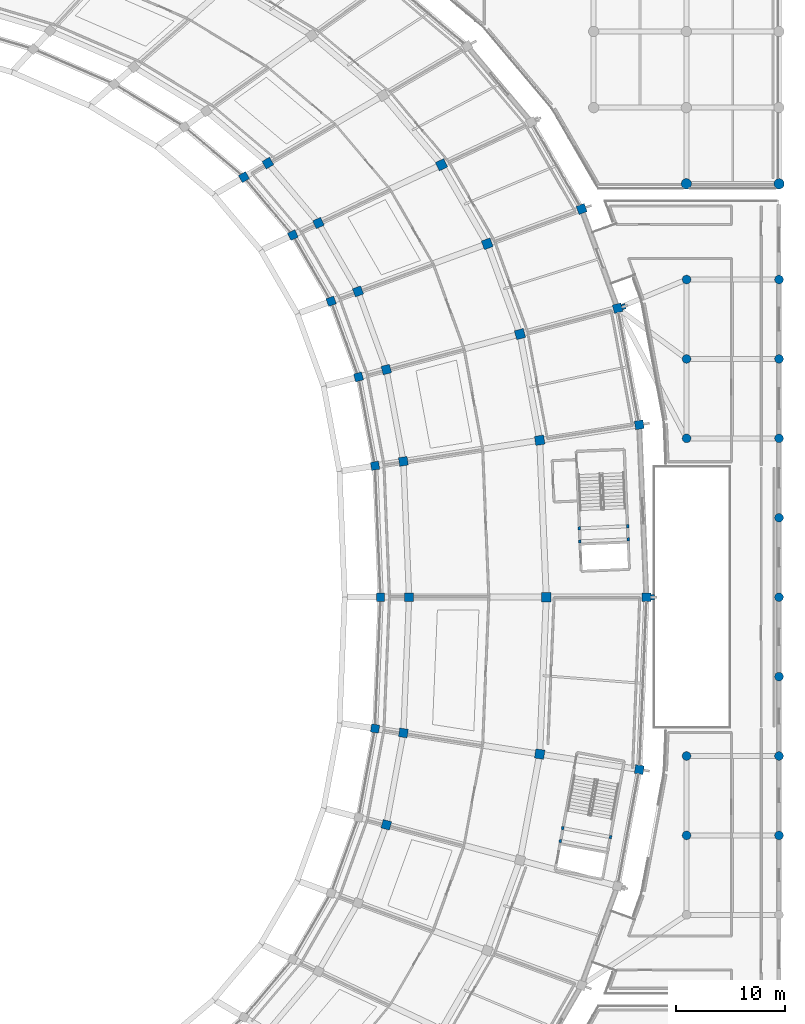
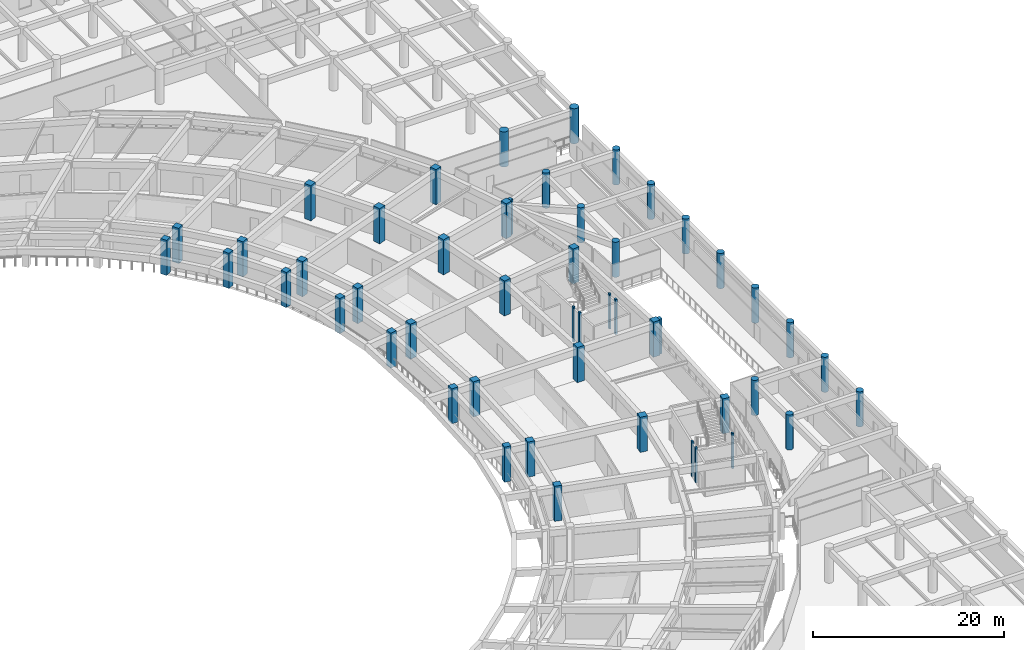
# One storey, part 6 of 145: 50 columns.
"""IFC4 building model written with IfcOpenShell, lengths in metres."""

from ifc_helpers import new_model, si_unit, direction, frame, origin, origin_2d, place, context, subcontext, project, spatial, rectangle, circle, extrude, material, material_profile, profile_set, type_object, element, save


model = new_model("IFC4")

# Units and contexts
model_context = context("Model", 3, precision=1e-05, world=origin(), true_north=direction((0.0, 1.0)))
body_context = subcontext(model_context, "Body", "Model", "MODEL_VIEW")
ifc_project = project(units=[si_unit("LENGTHUNIT", "METRE"), si_unit("AREAUNIT", "SQUARE_METRE"), si_unit("VOLUMEUNIT", "CUBIC_METRE"), si_unit("PLANEANGLEUNIT", "RADIAN"), si_unit("MASSUNIT", "GRAM", prefix="KILO")], contexts=[model_context])

# Site, building, storey
site_placement = place(None, origin())
site = spatial("IfcSite", under=ifc_project, at=site_placement, CompositionType="ELEMENT")
building_placement = place(site_placement, origin())
building = spatial("IfcBuilding", under=site, at=building_placement, Name="Mphavela Belvedere Stadium", CompositionType="ELEMENT")
storey_placement = place(building_placement, frame((0.0, 0.0, 10.199951171875)))
storey = spatial("IfcBuildingStorey", under=building, at=storey_placement, Name="L02", CompositionType="ELEMENT", Elevation=10.199951171875)

# Columns
ifc_material_1 = material(Name="Concrete C40/50", Category="concrete")
ifc_material_profile_1 = material_profile(ifc_material_1, rectangle(XDim=0.300048828125, YDim=0.219970703125, at=origin_2d()), Name="RC 300x220")
ifc_profile_set_1 = profile_set([ifc_material_profile_1], Name="Concrete C40/50")
column_type_1 = type_object("IfcColumnType", Name="COL-CORE-POST-300", PredefinedType="COLUMN", material=ifc_profile_set_1)
for number, where, z_axis, x_axis, name in (
    (1, (211.632080078125, 93.325439453125, 0.0), (0.0, 0.0, 1.0), (0.041875653729, -0.999122830099, 0.0), "Core C01 stair frame column L02-1"),
    (2, (211.682373046875, 92.12646484375, 0.0), (0.0, 0.0, 1.0), (0.041875653729, -0.999122830099, 0.0), "Core C01 stair frame column L02-2"),
    (3, (216.1484375, 92.313720703125, 0.0), (0.0, 0.0, 1.0), (0.041875653729, -0.999122830099, 0.0), "Core C01 stair frame column L02-3"),
    (4, (216.09814453125, 93.5126953125, 0.0), (0.0, 0.0, 1.0), (0.041875653729, -0.999122830099, 0.0), "Core C01 stair frame column L02-4"),
    (5, (210.11376953125, 65.7646484375, 0.0), (0.0, 0.0, 1.0), (-0.182578735093, -0.983191235463, 0.0), "Core C12 stair frame column L02-1"),
    (6, (209.894775390625, 64.584716796875, 0.0), (0.0, 0.0, 1.0), (-0.182578735093, -0.983191235463, 0.0), "Core C12 stair frame column L02-2"),
    (7, (214.508544921875, 64.948486328125, 0.0), (0.0, 0.0, 1.0), (-0.182578735093, -0.983191235463, 0.0), "Core C12 stair frame column L02-4"),
):
    element("IfcColumn", number, at=place(storey_placement, frame(where, z_axis=z_axis, x_axis=x_axis)), inside=storey, type_object=column_type_1, Name=name, PredefinedType="COLUMN", context=body_context, shape_type="SweptSolid", body=[
        extrude(rectangle(XDim=0.300048828125, YDim=0.219970703125, at=origin_2d()), origin(), (0.0, 0.0, 1.0), 4.5),
    ])
ifc_material_2 = material(Name="Concrete C40/50", Category="concrete")
ifc_material_profile_2 = material_profile(ifc_material_2, circle(Radius=0.47509765625, at=origin_2d()), Name="COL D950")
ifc_profile_set_2 = profile_set([ifc_material_profile_2], Name="Concrete C40/50")
column_type_2 = type_object("IfcColumnType", Name="COL-DORIC-950", PredefinedType="COLUMN", material=ifc_profile_set_2)
for number, where, z_axis, x_axis, name in (
    (8, (221.48095703125, 125.0, 0.0), (0.0, 0.0, 1.0), (1.0, 0.0, 0.0), "North Mast and Ceremonial End Forecourt classical column L02 27-1"),
    (9, (230.0, 125.0, 0.0), (0.0, 0.0, 1.0), (1.0, 0.0, 0.0), "North Mast and Ceremonial End Forecourt classical column L02 28-1"),
):
    element("IfcColumn", number, at=place(storey_placement, frame(where, z_axis=z_axis, x_axis=x_axis)), inside=storey, type_object=column_type_2, Name=name, PredefinedType="COLUMN", context=body_context, shape_type="SweptSolid", body=[
        extrude(circle(Radius=0.47509765625, at=origin_2d()), origin(), (0.0, 0.0, 1.0), 4.5),
    ])
ifc_material_3 = material(Name="Concrete C40/50", Category="concrete")
ifc_material_profile_3 = material_profile(ifc_material_3, circle(Radius=0.39990234375, at=origin_2d()), Name="COL D800")
ifc_profile_set_3 = profile_set([ifc_material_profile_3], Name="Concrete C40/50")
column_type_3 = type_object("IfcColumnType", Name="COL-PERISTYLE-800", PredefinedType="COLUMN", material=ifc_profile_set_3)
for number, where, z_axis, x_axis, name in (
    (10, (221.5, 65.10009765625, 0.0), (0.0, 0.0, 1.0), (1.0, 0.0, 0.0), "East Planted Eaves Peristyle Colonnade classical column L02 8-3"),
    (11, (221.5, 72.39990234375, 0.0), (0.0, 0.0, 1.0), (1.0, 0.0, 0.0), "East Planted Eaves Peristyle Colonnade classical column L02 8-4"),
    (12, (221.5, 101.60009765625, 0.0), (0.0, 0.0, 1.0), (1.0, 0.0, 0.0), "East Planted Eaves Peristyle Colonnade classical column L02 8-8"),
    (13, (221.5, 108.89990234375, 0.0), (0.0, 0.0, 1.0), (1.0, 0.0, 0.0), "East Planted Eaves Peristyle Colonnade classical column L02 8-9"),
    (14, (221.5, 116.199951171875, 0.0), (0.0, 0.0, 1.0), (1.0, 0.0, 0.0), "East Planted Eaves Peristyle Colonnade classical column L02 8-10"),
    (15, (230.0, 65.10009765625, 0.0), (0.0, 0.0, 1.0), (1.0, 0.0, 0.0), "East Planted Eaves Peristyle Colonnade classical column L02 9-3"),
    (16, (230.0, 72.39990234375, 0.0), (0.0, 0.0, 1.0), (1.0, 0.0, 0.0), "East Planted Eaves Peristyle Colonnade classical column L02 9-4"),
    (17, (230.0, 79.699951171875, 0.0), (0.0, 0.0, 1.0), (1.0, 0.0, 0.0), "East Planted Eaves Peristyle Colonnade classical column L02 9-5"),
    (18, (230.0, 87.0, 0.0), (0.0, 0.0, 1.0), (1.0, 0.0, 0.0), "East Planted Eaves Peristyle Colonnade classical column L02 9-6"),
    (19, (230.0, 94.300048828125, 0.0), (0.0, 0.0, 1.0), (1.0, 0.0, 0.0), "East Planted Eaves Peristyle Colonnade classical column L02 9-7"),
    (20, (230.0, 101.60009765625, 0.0), (0.0, 0.0, 1.0), (1.0, 0.0, 0.0), "East Planted Eaves Peristyle Colonnade classical column L02 9-8"),
    (21, (230.0, 108.89990234375, 0.0), (0.0, 0.0, 1.0), (1.0, 0.0, 0.0), "East Planted Eaves Peristyle Colonnade classical column L02 9-9"),
    (22, (230.0, 116.199951171875, 0.0), (0.0, 0.0, 1.0), (1.0, 0.0, 0.0), "East Planted Eaves Peristyle Colonnade classical column L02 9-10"),
):
    element("IfcColumn", number, at=place(storey_placement, frame(where, z_axis=z_axis, x_axis=x_axis)), inside=storey, type_object=column_type_3, Name=name, PredefinedType="COLUMN", context=body_context, shape_type="SweptSolid", body=[
        extrude(circle(Radius=0.39990234375, at=origin_2d()), origin(), (0.0, 0.0, 1.0), 4.5),
    ])
ifc_material_4 = material(Name="Concrete C40/50", Category="concrete")
ifc_material_profile_4 = material_profile(ifc_material_4, rectangle(XDim=0.75, YDim=0.75, at=origin_2d()), Name="RC 750x750")
ifc_profile_set_4 = profile_set([ifc_material_profile_4], Name="Concrete C40/50")
column_type_4 = type_object("IfcColumnType", Name="COL-RC750", PredefinedType="COLUMN", material=ifc_profile_set_4)
for number, where, z_axis, x_axis, name in (
    (23, (193.3759765625, 87.0, 0.0), (0.0, 0.0, 1.0), (1.0, 0.0, 0.0), "Inner concourse column L02 R1-01"),
    (24, (192.869384765625, 99.078125, 0.0), (0.0, 0.0, 1.0), (0.98817491911, 0.153330783737, 0.0), "Inner concourse column L02 R1-02"),
    (25, (191.351806640625, 107.24755859375, 0.0), (0.0, 0.0, 1.0), (0.966600102017, 0.256289373133, 0.0), "Inner concourse column L02 R1-03"),
    (26, (188.829833984375, 114.19921875, 0.0), (0.0, 0.0, 1.0), (0.938372433776, 0.34562577382, 0.0), "Inner concourse column L02 R1-04"),
    (27, (185.31298828125, 120.281494140625, 0.0), (0.0, 0.0, 1.0), (0.903858661687, 0.4278311813, 0.0), "Inner concourse column L02 R1-05"),
    (28, (180.8125, 125.611328125, 0.0), (0.0, 0.0, 1.0), (0.862513669207, 0.506033764121, 0.0), "Inner concourse column L02 R1-06"),
    (29, (192.869384765625, 74.921875, 0.0), (0.0, 0.0, 1.0), (0.98817491911, -0.153330783737, 0.0), "Inner concourse column L02 R1-48"),
):
    element("IfcColumn", number, at=place(storey_placement, frame(where, z_axis=z_axis, x_axis=x_axis)), inside=storey, type_object=column_type_4, Name=name, PredefinedType="COLUMN", context=body_context, shape_type="SweptSolid", body=[
        extrude(rectangle(XDim=0.75, YDim=0.75, at=origin_2d()), origin(), (0.0, 0.0, 1.0), 4.5),
    ])
ifc_material_5 = material(Name="Concrete C40/50", Category="concrete")
ifc_material_profile_5 = material_profile(ifc_material_5, rectangle(XDim=0.800048828125, YDim=0.800048828125, at=origin_2d()), Name="RC 800x800")
ifc_profile_set_5 = profile_set([ifc_material_profile_5], Name="Concrete C40/50")
column_type_5 = type_object("IfcColumnType", Name="COL-RC800", PredefinedType="COLUMN", material=ifc_profile_set_5)
for number, where, z_axis, x_axis, name in (
    (30, (195.9951171875, 87.0, 0.0), (0.0, 0.0, 1.0), (1.0, 0.0, 0.0), "Middle concourse column L02 R2-01"),
    (31, (217.820068359375, 87.0, 0.0), (0.0, 0.0, 1.0), (1.0, 0.0, 0.0), "Outer colonnade column L02 R4-01"),
    (32, (195.471435546875, 99.481689453125, 0.0), (0.0, 0.0, 1.0), (0.98817491911, 0.153330783737, 0.0), "Middle concourse column L02 R2-02"),
    (33, (217.155517578125, 102.844970703125, 0.0), (0.0, 0.0, 1.0), (0.98817491911, 0.153330783737, 0.0), "Outer colonnade column L02 R4-02"),
    (34, (193.9033203125, 107.92431640625, 0.0), (0.0, 0.0, 1.0), (0.966600102017, 0.256289373133, 0.0), "Middle concourse column L02 R2-03"),
    (35, (215.16455078125, 113.5625, 0.0), (0.0, 0.0, 1.0), (0.966600102017, 0.256289373133, 0.0), "Outer colonnade column L02 R4-03"),
    (36, (191.297119140625, 115.108154296875, 0.0), (0.0, 0.0, 1.0), (0.938372433776, 0.34562577382, 0.0), "Middle concourse column L02 R2-04"),
    (37, (211.856201171875, 122.682373046875, 0.0), (0.0, 0.0, 1.0), (0.938372433776, 0.34562577382, 0.0), "Outer colonnade column L02 R4-04"),
    (38, (187.66259765625, 121.393798828125, 0.0), (0.0, 0.0, 1.0), (0.903858661687, 0.4278311813, 0.0), "Middle concourse column L02 R2-05"),
    (39, (183.01171875, 126.901611328125, 0.0), (0.0, 0.0, 1.0), (0.862513669207, 0.506033764121, 0.0), "Middle concourse column L02 R2-06"),
    (40, (193.9033203125, 66.07568359375, 0.0), (0.0, 0.0, 1.0), (0.966600102017, -0.256289373133, 0.0), "Middle concourse column L02 R2-47"),
    (41, (195.471435546875, 74.518310546875, 0.0), (0.0, 0.0, 1.0), (0.98817491911, -0.153330783737, 0.0), "Middle concourse column L02 R2-48"),
    (42, (217.155517578125, 71.155029296875, 0.0), (0.0, 0.0, 1.0), (0.98817491911, -0.153330783737, 0.0), "Outer colonnade column L02 R4-48"),
):
    element("IfcColumn", number, at=place(storey_placement, frame(where, z_axis=z_axis, x_axis=x_axis)), inside=storey, type_object=column_type_5, Name=name, PredefinedType="COLUMN", context=body_context, shape_type="SweptSolid", body=[
        extrude(rectangle(XDim=0.800048828125, YDim=0.800048828125, at=origin_2d()), origin(), (0.0, 0.0, 1.0), 4.5),
    ])
ifc_material_6 = material(Name="Concrete C40/50", Category="concrete")
ifc_material_profile_6 = material_profile(ifc_material_6, rectangle(XDim=0.85009765625, YDim=0.85009765625, at=origin_2d()), Name="RC 850x850")
ifc_profile_set_6 = profile_set([ifc_material_profile_6], Name="Concrete C40/50")
column_type_6 = type_object("IfcColumnType", Name="COL-RC850", PredefinedType="COLUMN", material=ifc_profile_set_6)
for number, where, z_axis, x_axis, name in (
    (43, (208.60498046875, 87.0, 0.0), (0.0, 0.0, 1.0), (1.0, 0.0, 0.0), "Main bowl column L02 R3-01"),
    (44, (208.0, 101.4248046875, 0.0), (0.0, 0.0, 1.0), (0.98817491911, 0.153330783737, 0.0), "Main bowl column L02 R3-02"),
    (45, (206.1875, 111.181884765625, 0.0), (0.0, 0.0, 1.0), (0.966600102017, 0.256289373133, 0.0), "Main bowl column L02 R3-03"),
    (46, (203.175537109375, 119.484375, 0.0), (0.0, 0.0, 1.0), (0.938372433776, 0.34562577382, 0.0), "Main bowl column L02 R3-04"),
    (47, (198.9755859375, 126.748291015625, 0.0), (0.0, 0.0, 1.0), (0.903858661687, 0.4278311813, 0.0), "Main bowl column L02 R3-05"),
    (48, (208.0, 72.5751953125, 0.0), (0.0, 0.0, 1.0), (0.98817491911, -0.153330783737, 0.0), "Main bowl column L02 R3-48"),
):
    element("IfcColumn", number, at=place(storey_placement, frame(where, z_axis=z_axis, x_axis=x_axis)), inside=storey, type_object=column_type_6, Name=name, PredefinedType="COLUMN", context=body_context, shape_type="SweptSolid", body=[
        extrude(rectangle(XDim=0.85009765625, YDim=0.85009765625, at=origin_2d()), origin(), (0.0, 0.0, 1.0), 4.5),
    ])
ifc_material_7 = material(Name="Concrete C40/50", Category="concrete")
ifc_material_profile_7 = material_profile(ifc_material_7, rectangle(XDim=0.5, YDim=0.35009765625, at=origin_2d()), Name="PIL 500x350")
ifc_profile_set_7 = profile_set([ifc_material_profile_7], Name="Concrete C40/50")
column_type_7 = type_object("IfcColumnType", Name="PIL-FLUTED-500", PredefinedType="PILASTER", material=ifc_profile_set_7)
for number, where, z_axis, x_axis, name in (
    (49, (218.39794921875, 87.0, 0.0), (0.0, 0.0, 1.0), (0.0, 1.0, 0.0), "Fluted classical pilaster L02-01"),
    (50, (215.723388671875, 113.710693359375, 0.0), (0.0, 0.0, 1.0), (-0.256289373133, 0.966600102017, 0.0), "Fluted classical pilaster L02-03"),
):
    element("IfcColumn", number, at=place(storey_placement, frame(where, z_axis=z_axis, x_axis=x_axis)), inside=storey, type_object=column_type_7, Name=name, PredefinedType="PILASTER", context=body_context, shape_type="SweptSolid", body=[
        extrude(rectangle(XDim=0.5, YDim=0.35009765625, at=origin_2d()), origin(), (0.0, 0.0, 1.0), 4.5),
    ])

save(model, "model.ifc")
